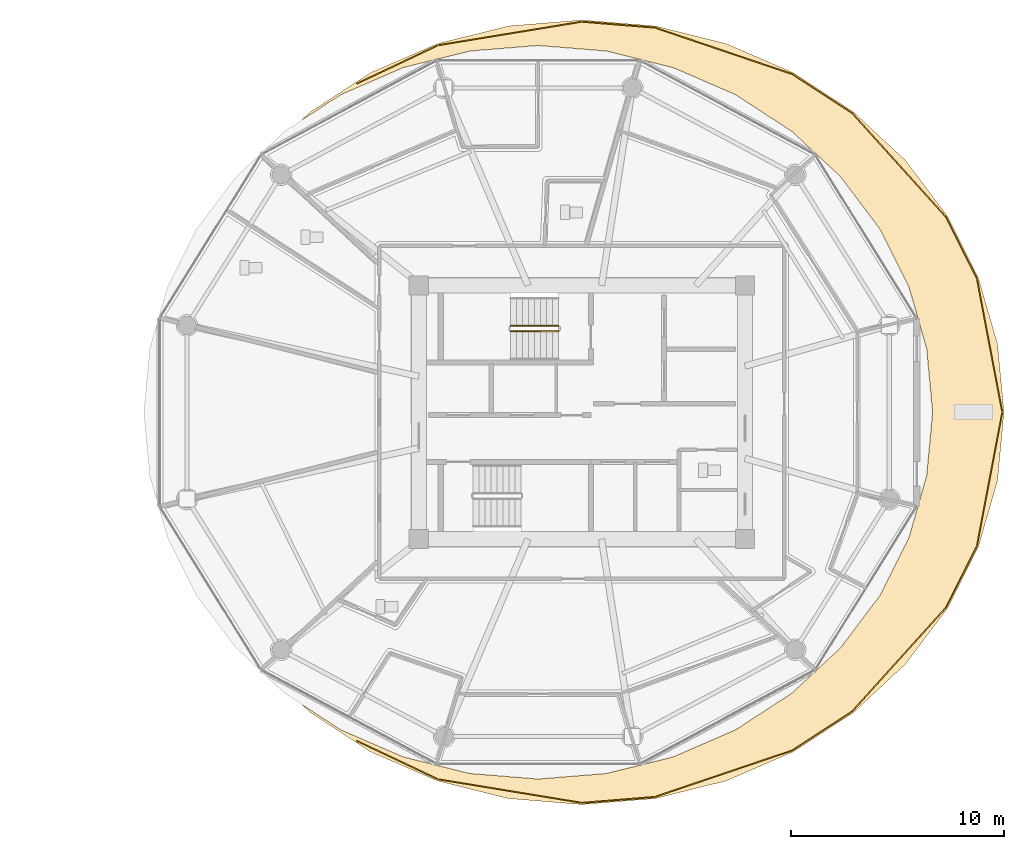
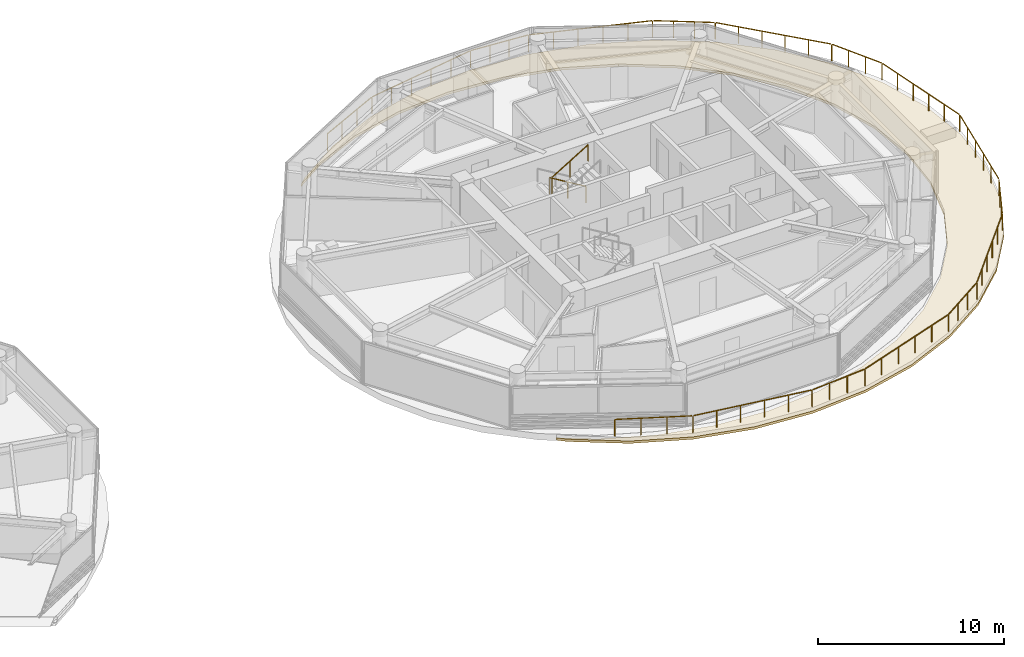
# One storey, part 28 of 32: 3 railings, 1 covering.
"""IFC4 building model written with IfcOpenShell, lengths in metres."""

from ifc_helpers import new_model, si_unit, direction, frame, origin, origin_2d, place, context, subcontext, project, spatial, polyline, rectangle, outline, extrude, material, layer, layer_set, type_object, element, save


model = new_model("IFC4")

# Units and contexts
model_context = context("Model", 3, precision=1e-05, world=origin(), true_north=direction((0.0, 1.0)))
body_context = subcontext(model_context, "Body", "Model", "MODEL_VIEW")
ifc_project = project(units=[si_unit("LENGTHUNIT", "METRE"), si_unit("AREAUNIT", "SQUARE_METRE"), si_unit("VOLUMEUNIT", "CUBIC_METRE"), si_unit("PLANEANGLEUNIT", "RADIAN"), si_unit("MASSUNIT", "GRAM", prefix="KILO")], contexts=[model_context])

# Site, building, storey
site_placement = place(None, origin())
site = spatial("IfcSite", under=ifc_project, at=site_placement, CompositionType="ELEMENT")
building_placement = place(site_placement, origin())
building = spatial("IfcBuilding", under=site, at=building_placement, Name="Norrkilde Senior Care Towers", CompositionType="ELEMENT")
storey_placement = place(building_placement, frame((0.0, 0.0, 77.949951171875)))
storey = spatial("IfcBuildingStorey", under=building, at=storey_placement, Name="L23", CompositionType="ELEMENT", Elevation=77.949951171875)

# Covering
ifc_material_1 = material(Name="EPDM Waterproofing and PIR Insulation")
ifc_layer = layer(ifc_material_1, 0.159912109375)
ifc_layer_set = layer_set([ifc_layer], Name="EPDM Waterproofing and PIR Insulation")
covering_type = type_object("IfcCoveringType", Name="Insulated EPDM Roof Membrane 160", PredefinedType="ROOFING", material=ifc_layer_set)
covering_placement = place(storey_placement, frame((0.0, 0.0, -0.389892578125)))
element("IfcCovering", 1, at=covering_placement, inside=storey, type_object=covering_type, Name="L23 Drum E Crescent Terrace Roof Membrane", PredefinedType="ROOFING", context=body_context, shape_type="SweptSolid", body=[
    extrude(outline(polyline([(15.272705078125, 14.09521484375), (18.10009765625, 15.934814453125), (21.22802734375, 17.290283203125), (24.561767578125, 18.120361328125), (28.0, 18.39990234375), (31.438232421875, 18.120361328125), (34.77197265625, 17.290283203125), (37.89990234375, 15.934814453125), (40.727294921875, 14.09521484375), (43.167724609375, 11.827392578125), (45.147216796875, 9.199951171875), (46.60595703125, 6.293212890625), (47.499267578125, 3.195068359375), (47.800048828125, 0.0), (47.499267578125, -3.195068359375), (46.60595703125, -6.293212890625), (45.147216796875, -9.199951171875), (43.167724609375, -11.827392578125), (40.727294921875, -14.09521484375), (37.89990234375, -15.934814453125), (34.77197265625, -17.290283203125), (31.438232421875, -18.120361328125), (28.0, -18.39990234375), (24.561767578125, -18.120361328125), (21.22802734375, -17.290283203125), (18.10009765625, -15.934814453125), (15.272705078125, -14.09521484375), (14.831787109375, -13.685302734375), (16.697265625, -14.89990234375), (16.69775390625, -14.900146484375), (16.697998046875, -14.900146484375), (19.62060546875, -16.167236328125), (19.62109375, -16.16748046875), (19.621337890625, -16.16748046875), (22.736328125, -16.943603515625), (22.73681640625, -16.943603515625), (22.737060546875, -16.943603515625), (25.94970703125, -17.205078125), (25.949951171875, -17.205078125), (25.950439453125, -17.205078125), (29.162841796875, -16.943603515625), (29.163330078125, -16.943603515625), (29.163818359375, -16.943603515625), (32.278564453125, -16.16748046875), (32.279052734375, -16.16748046875), (32.279296875, -16.167236328125), (35.201904296875, -14.900146484375), (35.202392578125, -14.900146484375), (35.20263671875, -14.89990234375), (37.84423828125, -13.18017578125), (37.8447265625, -13.179931640625), (37.844970703125, -13.1796875), (40.125244140625, -11.0595703125), (40.12548828125, -11.059326171875), (40.125732421875, -11.058837890625), (41.9755859375, -8.60302734375), (41.975830078125, -8.6025390625), (41.975830078125, -8.602294921875), (43.3388671875, -5.885009765625), (43.3388671875, -5.884521484375), (43.339111328125, -5.884033203125), (44.173828125, -2.988037109375), (44.173828125, -2.98779296875), (44.173828125, -2.9873046875), (44.455078125, -0.00048828125), (44.455078125, 0.0), (44.455078125, 0.00048828125), (44.173828125, 2.9873046875), (44.173828125, 2.98779296875), (44.173828125, 2.988037109375), (43.339111328125, 5.884033203125), (43.3388671875, 5.884521484375), (43.3388671875, 5.885009765625), (41.975830078125, 8.602294921875), (41.975830078125, 8.6025390625), (41.9755859375, 8.60302734375), (40.125732421875, 11.058837890625), (40.12548828125, 11.059326171875), (40.125244140625, 11.0595703125), (37.844970703125, 13.1796875), (37.8447265625, 13.179931640625), (37.84423828125, 13.18017578125), (35.20263671875, 14.89990234375), (35.202392578125, 14.900146484375), (35.201904296875, 14.900146484375), (32.279296875, 16.167236328125), (32.279052734375, 16.16748046875), (32.278564453125, 16.16748046875), (29.163818359375, 16.943603515625), (29.163330078125, 16.943603515625), (29.162841796875, 16.943603515625), (25.950439453125, 17.205078125), (25.949951171875, 17.205078125), (25.94970703125, 17.205078125), (22.737060546875, 16.943603515625), (22.73681640625, 16.943603515625), (22.736328125, 16.943603515625), (19.621337890625, 16.16748046875), (19.62109375, 16.16748046875), (19.62060546875, 16.167236328125), (16.697998046875, 14.900146484375), (16.69775390625, 14.900146484375), (16.697265625, 14.89990234375), (14.831787109375, 13.685302734375), (15.272705078125, 14.09521484375)])), origin(), (0.0, 0.0, 1.0), 0.159912109375),
])

# Railings
ifc_material_2 = material(Name="Stainless Steel", Category="steel")
railing_type = type_object("IfcRailingType", Name="Stair and Terrace Guardrail 1100", PredefinedType="GUARDRAIL", material=ifc_material_2)
railing_1_placement = place(storey_placement, frame((17.452392578125, 15.41796875, 0.0)))
element("IfcRailing", 2, at=railing_1_placement, inside=storey, type_object=railing_type, Name="L23 Perimeter Safety Guard 01", PredefinedType="GUARDRAIL", context=body_context, shape_type="SweptSolid", body=[
    extrude(rectangle(XDim=0.048095703125, YDim=0.048095703125, at=origin_2d()), frame((0.0, 0.0, 1.09619140625), z_axis=(0.904125291498, 0.427267430626, 0.0), x_axis=(-0.427267430626, 0.904125291498, 0.0)), (0.0, 0.0, 1.0), 4.16357421875),
    extrude(rectangle(XDim=0.048095703125, YDim=0.048095703125, at=origin_2d()), frame((3.841552734375, 1.802978515625, 1.09619140625), z_axis=(0.986839065181, 0.161705471253, 0.0), x_axis=(-0.161705471253, 0.986839065181, 0.0)), (0.0, 0.0, 1.0), 6.754638671875),
    extrude(rectangle(XDim=0.048095703125, YDim=0.048095703125, at=origin_2d()), frame((10.58837890625, 2.8984375, 1.09619140625), z_axis=(0.996709376634, -0.081058118228, 0.0), x_axis=(0.081058118228, 0.996709376634, 0.0)), (0.0, 0.0, 1.0), 3.354736328125),
    extrude(rectangle(XDim=0.048095703125, YDim=0.048095703125, at=origin_2d()), frame((14.01171875, 2.610107421875, 1.09619140625), z_axis=(0.947287286737, -0.320385387287, 0.0), x_axis=(0.320385387287, 0.947287286737, 0.0)), (0.0, 0.0, 1.0), 6.713134765625),
    extrude(rectangle(XDim=0.048095703125, YDim=0.048095703125, at=origin_2d()), frame((20.44384765625, 0.424072265625, 1.09619140625), z_axis=(0.838159572297, -0.545425092352, 0.0), x_axis=(0.545425092352, 0.838159572297, 0.0)), (0.0, 0.0, 1.0), 3.277587890625),
    extrude(rectangle(XDim=0.048095703125, YDim=0.048095703125, at=origin_2d()), frame((23.252685546875, -1.416259765625, 1.09619140625), z_axis=(0.670185869438, -0.742193303935, 0.0), x_axis=(0.742193303935, 0.670185869438, 0.0)), (0.0, 0.0, 1.0), 6.485595703125),
    extrude(rectangle(XDim=0.048095703125, YDim=0.048095703125, at=origin_2d()), frame((27.64501953125, -6.296875, 1.09619140625), z_axis=(0.448449855027, -0.893807992539, 0.0), x_axis=(0.893807992539, 0.448449855027, 0.0)), (0.0, 0.0, 1.0), 3.15576171875),
    extrude(rectangle(XDim=0.048095703125, YDim=0.048095703125, at=origin_2d()), frame((29.086181640625, -9.1943359375, 1.09619140625), z_axis=(0.186445175578, -0.982465366567, 0.0), x_axis=(0.982465366567, 0.186445175578, 0.0)), (0.0, 0.0, 1.0), 6.2939453125),
    extrude(rectangle(XDim=0.048095703125, YDim=0.048095703125, at=origin_2d()), frame((30.259765625, -15.458251953125, 1.09619140625), z_axis=(-0.186445175578, -0.982465366567, 0.0), x_axis=(0.982465366567, -0.186445175578, 0.0)), (0.0, 0.0, 1.0), 6.2939453125),
    extrude(rectangle(XDim=0.048095703125, YDim=0.048095703125, at=origin_2d()), frame((29.060302734375, -21.718505859375, 1.09619140625), z_axis=(-0.448449855027, -0.893807992539, 0.0), x_axis=(0.893807992539, -0.448449855027, 0.0)), (0.0, 0.0, 1.0), 3.15576171875),
    extrude(rectangle(XDim=0.048095703125, YDim=0.048095703125, at=origin_2d()), frame((27.599365234375, -24.60595703125, 1.09619140625), z_axis=(-0.670185869438, -0.742193303935, 0.0), x_axis=(0.742193303935, -0.670185869438, 0.0)), (0.0, 0.0, 1.0), 6.485595703125),
    extrude(rectangle(XDim=0.048095703125, YDim=0.048095703125, at=origin_2d()), frame((23.191162109375, -29.47216796875, 1.09619140625), z_axis=(-0.838159572297, -0.545425092352, 0.0), x_axis=(0.545425092352, -0.838159572297, 0.0)), (0.0, 0.0, 1.0), 3.277587890625),
    extrude(rectangle(XDim=0.048095703125, YDim=0.048095703125, at=origin_2d()), frame((20.370849609375, -31.29541015625, 1.09619140625), z_axis=(-0.947287286737, -0.320385387287, 0.0), x_axis=(0.320385387287, -0.947287286737, 0.0)), (0.0, 0.0, 1.0), 6.713134765625),
    extrude(rectangle(XDim=0.048095703125, YDim=0.048095703125, at=origin_2d()), frame((13.93212890625, -33.462646484375, 1.09619140625), z_axis=(-0.996709376634, -0.081058118228, 0.0), x_axis=(0.081058118228, -0.996709376634, 0.0)), (0.0, 0.0, 1.0), 3.354736328125),
    extrude(rectangle(XDim=0.048095703125, YDim=0.048095703125, at=origin_2d()), frame((10.50732421875, -33.731201171875, 1.09619140625), z_axis=(-0.986839065181, 0.161705471253, 0.0), x_axis=(-0.161705471253, -0.986839065181, 0.0)), (0.0, 0.0, 1.0), 6.754638671875),
    extrude(rectangle(XDim=0.048095703125, YDim=0.048095703125, at=origin_2d()), frame((3.764404296875, -32.61474609375, 1.09619140625), z_axis=(-0.904125291498, 0.427267430626, 0.0), x_axis=(-0.427267430626, -0.904125291498, 0.0)), (0.0, 0.0, 1.0), 4.16357421875),
    extrude(rectangle(XDim=0.0419921875, YDim=0.0419921875, at=origin_2d()), origin(), (0.0, 0.0, 1.0), 1.070068359375),
    extrude(rectangle(XDim=0.0419921875, YDim=0.0419921875, at=origin_2d()), frame((1.26708984375, 0.598876953125, 0.0)), (0.0, 0.0, 1.0), 1.070068359375),
    extrude(rectangle(XDim=0.0419921875, YDim=0.0419921875, at=origin_2d()), frame((2.5341796875, 1.197509765625, 0.0)), (0.0, 0.0, 1.0), 1.070068359375),
    extrude(rectangle(XDim=0.0419921875, YDim=0.0419921875, at=origin_2d()), frame((3.80126953125, 1.79638671875, 0.0)), (0.0, 0.0, 1.0), 1.070068359375),
    extrude(rectangle(XDim=0.0419921875, YDim=0.0419921875, at=origin_2d()), frame((5.150634765625, 2.017578125, 0.0)), (0.0, 0.0, 1.0), 1.070068359375),
    extrude(rectangle(XDim=0.0419921875, YDim=0.0419921875, at=origin_2d()), frame((6.499755859375, 2.238525390625, 0.0)), (0.0, 0.0, 1.0), 1.070068359375),
    extrude(rectangle(XDim=0.0419921875, YDim=0.0419921875, at=origin_2d()), frame((7.84912109375, 2.459716796875, 0.0)), (0.0, 0.0, 1.0), 1.070068359375),
    extrude(rectangle(XDim=0.0419921875, YDim=0.0419921875, at=origin_2d()), frame((9.1982421875, 2.6806640625, 0.0)), (0.0, 0.0, 1.0), 1.070068359375),
    extrude(rectangle(XDim=0.0419921875, YDim=0.0419921875, at=origin_2d()), frame((10.547607421875, 2.90185546875, 0.0)), (0.0, 0.0, 1.0), 1.070068359375),
    extrude(rectangle(XDim=0.0419921875, YDim=0.0419921875, at=origin_2d()), frame((11.689453125, 2.80908203125, 0.0)), (0.0, 0.0, 1.0), 1.070068359375),
    extrude(rectangle(XDim=0.0419921875, YDim=0.0419921875, at=origin_2d()), frame((12.8310546875, 2.716064453125, 0.0)), (0.0, 0.0, 1.0), 1.070068359375),
    extrude(rectangle(XDim=0.0419921875, YDim=0.0419921875, at=origin_2d()), frame((13.972900390625, 2.623291015625, 0.0)), (0.0, 0.0, 1.0), 1.070068359375),
    extrude(rectangle(XDim=0.0419921875, YDim=0.0419921875, at=origin_2d()), frame((15.26025390625, 2.18798828125, 0.0)), (0.0, 0.0, 1.0), 1.070068359375),
    extrude(rectangle(XDim=0.0419921875, YDim=0.0419921875, at=origin_2d()), frame((16.547607421875, 1.75244140625, 0.0)), (0.0, 0.0, 1.0), 1.070068359375),
    extrude(rectangle(XDim=0.0419921875, YDim=0.0419921875, at=origin_2d()), frame((17.8349609375, 1.317138671875, 0.0)), (0.0, 0.0, 1.0), 1.070068359375),
    extrude(rectangle(XDim=0.0419921875, YDim=0.0419921875, at=origin_2d()), frame((19.122314453125, 0.881591796875, 0.0)), (0.0, 0.0, 1.0), 1.070068359375),
    extrude(rectangle(XDim=0.0419921875, YDim=0.0419921875, at=origin_2d()), frame((20.40966796875, 0.4462890625, 0.0)), (0.0, 0.0, 1.0), 1.070068359375),
    extrude(rectangle(XDim=0.0419921875, YDim=0.0419921875, at=origin_2d()), frame((21.34814453125, -0.16455078125, 0.0)), (0.0, 0.0, 1.0), 1.070068359375),
    extrude(rectangle(XDim=0.0419921875, YDim=0.0419921875, at=origin_2d()), frame((22.286865234375, -0.775146484375, 0.0)), (0.0, 0.0, 1.0), 1.070068359375),
    extrude(rectangle(XDim=0.0419921875, YDim=0.0419921875, at=origin_2d()), frame((23.225341796875, -1.385986328125, 0.0)), (0.0, 0.0, 1.0), 1.070068359375),
    extrude(rectangle(XDim=0.0419921875, YDim=0.0419921875, at=origin_2d()), frame((24.105712890625, -2.36083984375, 0.0)), (0.0, 0.0, 1.0), 1.070068359375),
    extrude(rectangle(XDim=0.0419921875, YDim=0.0419921875, at=origin_2d()), frame((24.98583984375, -3.335693359375, 0.0)), (0.0, 0.0, 1.0), 1.070068359375),
    extrude(rectangle(XDim=0.0419921875, YDim=0.0419921875, at=origin_2d()), frame((25.8662109375, -4.310546875, 0.0)), (0.0, 0.0, 1.0), 1.070068359375),
    extrude(rectangle(XDim=0.0419921875, YDim=0.0419921875, at=origin_2d()), frame((26.746337890625, -5.285400390625, 0.0)), (0.0, 0.0, 1.0), 1.070068359375),
    extrude(rectangle(XDim=0.0419921875, YDim=0.0419921875, at=origin_2d()), frame((27.626708984375, -6.26025390625, 0.0)), (0.0, 0.0, 1.0), 1.070068359375),
    extrude(rectangle(XDim=0.0419921875, YDim=0.0419921875, at=origin_2d()), frame((28.110595703125, -7.224853515625, 0.0)), (0.0, 0.0, 1.0), 1.070068359375),
    extrude(rectangle(XDim=0.0419921875, YDim=0.0419921875, at=origin_2d()), frame((28.5947265625, -8.189453125, 0.0)), (0.0, 0.0, 1.0), 1.070068359375),
    extrude(rectangle(XDim=0.0419921875, YDim=0.0419921875, at=origin_2d()), frame((29.07861328125, -9.154052734375, 0.0)), (0.0, 0.0, 1.0), 1.070068359375),
    extrude(rectangle(XDim=0.0419921875, YDim=0.0419921875, at=origin_2d()), frame((29.31640625, -10.40673828125, 0.0)), (0.0, 0.0, 1.0), 1.070068359375),
    extrude(rectangle(XDim=0.0419921875, YDim=0.0419921875, at=origin_2d()), frame((29.55419921875, -11.65966796875, 0.0)), (0.0, 0.0, 1.0), 1.070068359375),
    extrude(rectangle(XDim=0.0419921875, YDim=0.0419921875, at=origin_2d()), frame((29.791748046875, -12.912353515625, 0.0)), (0.0, 0.0, 1.0), 1.070068359375),
    extrude(rectangle(XDim=0.0419921875, YDim=0.0419921875, at=origin_2d()), frame((30.029541015625, -14.165283203125, 0.0)), (0.0, 0.0, 1.0), 1.070068359375),
    extrude(rectangle(XDim=0.0419921875, YDim=0.0419921875, at=origin_2d()), frame((30.267333984375, -15.41796875, 0.0)), (0.0, 0.0, 1.0), 1.070068359375),
    extrude(rectangle(XDim=0.0419921875, YDim=0.0419921875, at=origin_2d()), frame((30.029541015625, -16.670654296875, 0.0)), (0.0, 0.0, 1.0), 1.070068359375),
    extrude(rectangle(XDim=0.0419921875, YDim=0.0419921875, at=origin_2d()), frame((29.791748046875, -17.923583984375, 0.0)), (0.0, 0.0, 1.0), 1.070068359375),
    extrude(rectangle(XDim=0.0419921875, YDim=0.0419921875, at=origin_2d()), frame((29.55419921875, -19.17626953125, 0.0)), (0.0, 0.0, 1.0), 1.070068359375),
    extrude(rectangle(XDim=0.0419921875, YDim=0.0419921875, at=origin_2d()), frame((29.31640625, -20.42919921875, 0.0)), (0.0, 0.0, 1.0), 1.070068359375),
    extrude(rectangle(XDim=0.0419921875, YDim=0.0419921875, at=origin_2d()), frame((29.07861328125, -21.681884765625, 0.0)), (0.0, 0.0, 1.0), 1.070068359375),
    extrude(rectangle(XDim=0.0419921875, YDim=0.0419921875, at=origin_2d()), frame((28.5947265625, -22.646484375, 0.0)), (0.0, 0.0, 1.0), 1.070068359375),
    extrude(rectangle(XDim=0.0419921875, YDim=0.0419921875, at=origin_2d()), frame((28.110595703125, -23.611083984375, 0.0)), (0.0, 0.0, 1.0), 1.070068359375),
    extrude(rectangle(XDim=0.0419921875, YDim=0.0419921875, at=origin_2d()), frame((27.626708984375, -24.57568359375, 0.0)), (0.0, 0.0, 1.0), 1.070068359375),
    extrude(rectangle(XDim=0.0419921875, YDim=0.0419921875, at=origin_2d()), frame((26.746337890625, -25.550537109375, 0.0)), (0.0, 0.0, 1.0), 1.070068359375),
    extrude(rectangle(XDim=0.0419921875, YDim=0.0419921875, at=origin_2d()), frame((25.8662109375, -26.525390625, 0.0)), (0.0, 0.0, 1.0), 1.070068359375),
    extrude(rectangle(XDim=0.0419921875, YDim=0.0419921875, at=origin_2d()), frame((24.98583984375, -27.500244140625, 0.0)), (0.0, 0.0, 1.0), 1.070068359375),
    extrude(rectangle(XDim=0.0419921875, YDim=0.0419921875, at=origin_2d()), frame((24.105712890625, -28.47509765625, 0.0)), (0.0, 0.0, 1.0), 1.070068359375),
    extrude(rectangle(XDim=0.0419921875, YDim=0.0419921875, at=origin_2d()), frame((23.225341796875, -29.449951171875, 0.0)), (0.0, 0.0, 1.0), 1.070068359375),
    extrude(rectangle(XDim=0.0419921875, YDim=0.0419921875, at=origin_2d()), frame((22.286865234375, -30.060791015625, 0.0)), (0.0, 0.0, 1.0), 1.070068359375),
    extrude(rectangle(XDim=0.0419921875, YDim=0.0419921875, at=origin_2d()), frame((21.34814453125, -30.67138671875, 0.0)), (0.0, 0.0, 1.0), 1.070068359375),
    extrude(rectangle(XDim=0.0419921875, YDim=0.0419921875, at=origin_2d()), frame((20.40966796875, -31.2822265625, 0.0)), (0.0, 0.0, 1.0), 1.070068359375),
    extrude(rectangle(XDim=0.0419921875, YDim=0.0419921875, at=origin_2d()), frame((19.122314453125, -31.717529296875, 0.0)), (0.0, 0.0, 1.0), 1.070068359375),
    extrude(rectangle(XDim=0.0419921875, YDim=0.0419921875, at=origin_2d()), frame((17.8349609375, -32.153076171875, 0.0)), (0.0, 0.0, 1.0), 1.070068359375),
    extrude(rectangle(XDim=0.0419921875, YDim=0.0419921875, at=origin_2d()), frame((16.547607421875, -32.58837890625, 0.0)), (0.0, 0.0, 1.0), 1.070068359375),
    extrude(rectangle(XDim=0.0419921875, YDim=0.0419921875, at=origin_2d()), frame((15.26025390625, -33.02392578125, 0.0)), (0.0, 0.0, 1.0), 1.070068359375),
    extrude(rectangle(XDim=0.0419921875, YDim=0.0419921875, at=origin_2d()), frame((13.972900390625, -33.459228515625, 0.0)), (0.0, 0.0, 1.0), 1.070068359375),
    extrude(rectangle(XDim=0.0419921875, YDim=0.0419921875, at=origin_2d()), frame((12.8310546875, -33.552001953125, 0.0)), (0.0, 0.0, 1.0), 1.070068359375),
    extrude(rectangle(XDim=0.0419921875, YDim=0.0419921875, at=origin_2d()), frame((11.689453125, -33.64501953125, 0.0)), (0.0, 0.0, 1.0), 1.070068359375),
    extrude(rectangle(XDim=0.0419921875, YDim=0.0419921875, at=origin_2d()), frame((10.547607421875, -33.73779296875, 0.0)), (0.0, 0.0, 1.0), 1.070068359375),
    extrude(rectangle(XDim=0.0419921875, YDim=0.0419921875, at=origin_2d()), frame((9.1982421875, -33.5166015625, 0.0)), (0.0, 0.0, 1.0), 1.070068359375),
    extrude(rectangle(XDim=0.0419921875, YDim=0.0419921875, at=origin_2d()), frame((7.84912109375, -33.295654296875, 0.0)), (0.0, 0.0, 1.0), 1.070068359375),
    extrude(rectangle(XDim=0.0419921875, YDim=0.0419921875, at=origin_2d()), frame((6.499755859375, -33.074462890625, 0.0)), (0.0, 0.0, 1.0), 1.070068359375),
    extrude(rectangle(XDim=0.0419921875, YDim=0.0419921875, at=origin_2d()), frame((5.150634765625, -32.853515625, 0.0)), (0.0, 0.0, 1.0), 1.070068359375),
    extrude(rectangle(XDim=0.0419921875, YDim=0.0419921875, at=origin_2d()), frame((3.80126953125, -32.63232421875, 0.0)), (0.0, 0.0, 1.0), 1.070068359375),
    extrude(rectangle(XDim=0.0419921875, YDim=0.0419921875, at=origin_2d()), frame((2.5341796875, -32.033447265625, 0.0)), (0.0, 0.0, 1.0), 1.070068359375),
    extrude(rectangle(XDim=0.0419921875, YDim=0.0419921875, at=origin_2d()), frame((1.26708984375, -31.434814453125, 0.0)), (0.0, 0.0, 1.0), 1.070068359375),
    extrude(rectangle(XDim=0.0419921875, YDim=0.0419921875, at=origin_2d()), frame((0.0, -30.8359375, 0.0)), (0.0, 0.0, 1.0), 1.070068359375),
])
railing_2_placement = place(storey_placement, frame((26.89990234375, 4.050048828125, 0.16943359375)))
element("IfcRailing", 3, at=railing_2_placement, inside=storey, type_object=railing_type, Name="L23 ST-E1 stair guard 1", PredefinedType="GUARDRAIL", context=body_context, shape_type="SweptSolid", body=[
    extrude(rectangle(XDim=0.048095703125, YDim=0.048095703125, at=origin_2d()), frame((0.0, 0.0, 1.076171875), z_axis=(-0.855512035549, 0.0, 0.517782924622), x_axis=(0.0, -1.0, 0.0)), (0.0, 0.0, 1.0), 2.618408203125),
    extrude(rectangle(XDim=0.0419921875, YDim=0.0419921875, at=origin_2d()), origin(), (0.0, 0.0, 1.0), 1.050048828125),
    extrude(rectangle(XDim=0.0419921875, YDim=0.0419921875, at=origin_2d()), frame((-1.1201171875, 0.0, 0.677734375)), (0.0, 0.0, 1.0), 1.050048828125),
    extrude(rectangle(XDim=0.0419921875, YDim=0.0419921875, at=origin_2d()), frame((-2.239990234375, 0.0, 1.355712890625)), (0.0, 0.0, 1.0), 1.050048828125),
])
railing_3_placement = place(storey_placement, frame((24.659912109375, 3.800048828125, 1.694580078125)))
element("IfcRailing", 4, at=railing_3_placement, inside=storey, type_object=railing_type, Name="L23 ST-E1 stair guard 3", PredefinedType="GUARDRAIL", context=body_context, shape_type="SweptSolid", body=[
    extrude(rectangle(XDim=0.048095703125, YDim=0.048095703125, at=origin_2d()), frame((0.0, 0.0, 1.076171875), z_axis=(0.855553338991, 0.0, 0.51771467445), x_axis=(0.0, 1.0, 0.0)), (0.0, 0.0, 1.0), 2.6181640625),
    extrude(rectangle(XDim=0.0419921875, YDim=0.0419921875, at=origin_2d()), origin(), (0.0, 0.0, 1.0), 1.050048828125),
    extrude(rectangle(XDim=0.0419921875, YDim=0.0419921875, at=origin_2d()), frame((1.1201171875, 0.0, 0.677734375)), (0.0, 0.0, 1.0), 1.050048828125),
    extrude(rectangle(XDim=0.0419921875, YDim=0.0419921875, at=origin_2d()), frame((2.239990234375, 0.0, 1.35546875)), (0.0, 0.0, 1.0), 1.050048828125),
])

save(model, "model.ifc")
